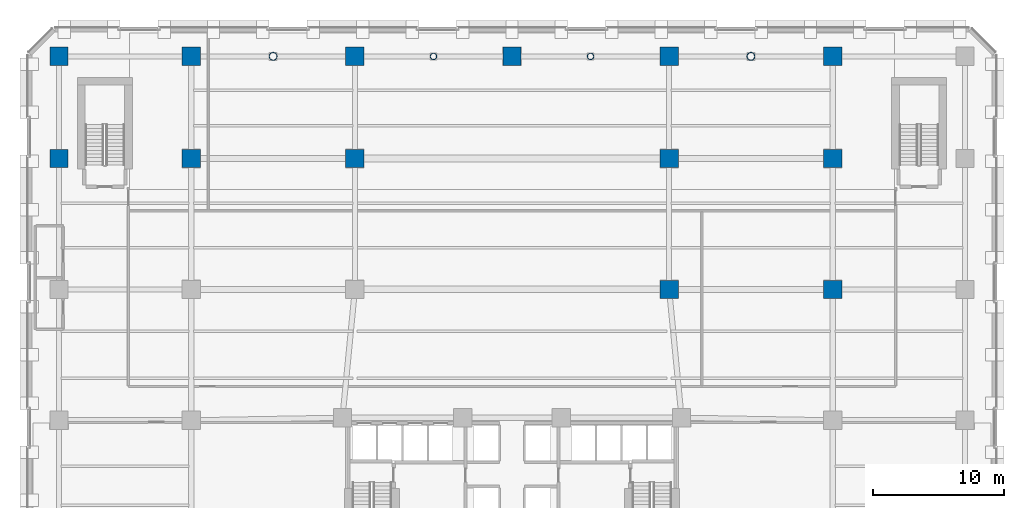
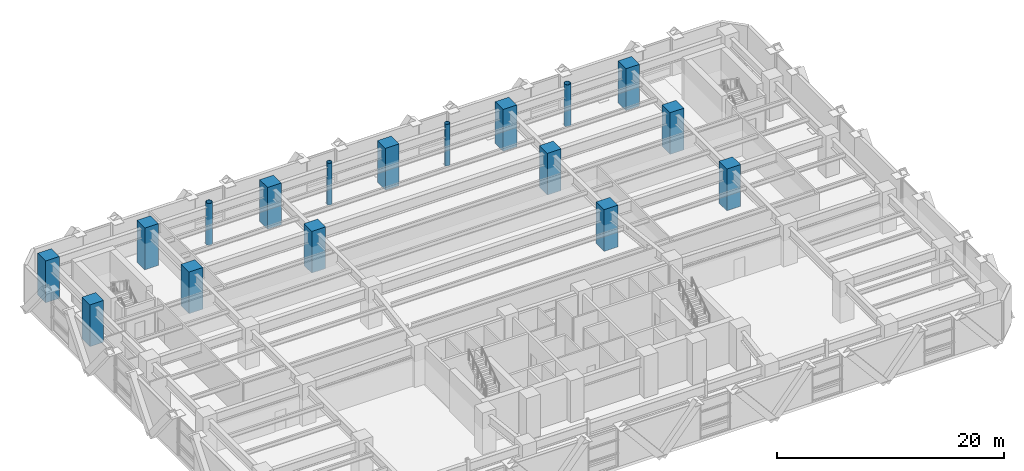
# One storey, part 4 of 26: 17 columns.
"""IFC4 building model written with IfcOpenShell, lengths in metres."""

from ifc_helpers import new_model, si_unit, direction, frame, origin, origin_2d, place, context, subcontext, project, spatial, rectangle, hollow_circle, extrude, material, material_profile, profile_set, type_object, element, save


model = new_model("IFC4")

# Units and contexts
model_context = context("Model", 3, precision=1e-05, world=origin(), true_north=direction((0.0, 1.0)))
body_context = subcontext(model_context, "Body", "Model", "MODEL_VIEW")
ifc_project = project(units=[si_unit("LENGTHUNIT", "METRE"), si_unit("AREAUNIT", "SQUARE_METRE"), si_unit("VOLUMEUNIT", "CUBIC_METRE"), si_unit("PLANEANGLEUNIT", "RADIAN"), si_unit("MASSUNIT", "GRAM", prefix="KILO")], contexts=[model_context])

# Site, building, storey
site_placement = place(None, origin())
site = spatial("IfcSite", under=ifc_project, at=site_placement, CompositionType="ELEMENT")
building_placement = place(site_placement, origin())
building = spatial("IfcBuilding", under=site, at=building_placement, Name="Quenlor Broadcast Tower", CompositionType="ELEMENT")
storey_placement = place(building_placement, frame((0.0, 0.0, 18.5)))
storey = spatial("IfcBuildingStorey", under=building, at=storey_placement, Name="L04", CompositionType="ELEMENT", Elevation=18.5)

# Columns
ifc_material_1 = material(Name="Concrete C65/80", Category="concrete")
ifc_material_profile_1 = material_profile(ifc_material_1, rectangle(XDim=1.39990234375, YDim=1.39990234375, at=origin_2d()))
ifc_profile_set_1 = profile_set([ifc_material_profile_1], Name="Concrete C65/80 RC1400x1400")
column_type_1 = type_object("IfcColumnType", Name="Podium Mega Column Concrete C65/80 1400", PredefinedType="COLUMN", material=ifc_profile_set_1)
for number, where, z_axis, x_axis, name in (
    (1, (12.0, 5.0, 0.0), (0.0, 0.0, 1.0), (1.0, 0.0, 0.0), "L04 Podium Mega Column PM18"),
    (2, (24.5, 5.0, 0.0), (0.0, 0.0, 1.0), (1.0, 0.0, 0.0), "L04 Podium Mega Column PM19"),
    (3, (-34.60009765625, 15.0, 0.0), (0.0, 0.0, 1.0), (1.0, 0.0, 0.0), "L04 Podium Mega Column PM21"),
    (4, (-24.5, 15.0, 0.0), (0.0, 0.0, 1.0), (1.0, 0.0, 0.0), "L04 Podium Mega Column PM22"),
    (5, (-12.0, 15.0, 0.0), (0.0, 0.0, 1.0), (1.0, 0.0, 0.0), "L04 Podium Mega Column PM23"),
    (6, (12.0, 15.0, 0.0), (0.0, 0.0, 1.0), (1.0, 0.0, 0.0), "L04 Podium Mega Column PM24"),
    (7, (24.5, 15.0, 0.0), (0.0, 0.0, 1.0), (1.0, 0.0, 0.0), "L04 Podium Mega Column PM25"),
    (8, (-34.60009765625, 22.800048828125, 0.0), (0.0, 0.0, 1.0), (1.0, 0.0, 0.0), "L04 Podium Mega Column PM27"),
    (9, (-24.5, 22.800048828125, 0.0), (0.0, 0.0, 1.0), (1.0, 0.0, 0.0), "L04 Podium Mega Column PM28"),
    (10, (-12.0, 22.800048828125, 0.0), (0.0, 0.0, 1.0), (1.0, 0.0, 0.0), "L04 Podium Mega Column PM29"),
    (11, (0.0, 22.800048828125, 0.0), (0.0, 0.0, 1.0), (1.0, 0.0, 0.0), "L04 Podium Mega Column PM30"),
    (12, (12.0, 22.800048828125, 0.0), (0.0, 0.0, 1.0), (1.0, 0.0, 0.0), "L04 Podium Mega Column PM31"),
    (13, (24.5, 22.800048828125, 0.0), (0.0, 0.0, 1.0), (1.0, 0.0, 0.0), "L04 Podium Mega Column PM32"),
):
    element("IfcColumn", number, at=place(storey_placement, frame(where, z_axis=z_axis, x_axis=x_axis)), inside=storey, type_object=column_type_1, Name=name, PredefinedType="COLUMN", context=body_context, shape_type="SweptSolid", body=[
        extrude(rectangle(XDim=1.39990234375, YDim=1.39990234375, at=origin_2d()), origin(), (0.0, 0.0, 1.0), 4.5),
    ])
ifc_material_2 = material(Name="Steel S355", Category="steel")
ifc_material_profile_2 = material_profile(ifc_material_2, hollow_circle(Radius=0.304931640625, WallThickness=0.02490234375, at=origin_2d()))
ifc_profile_set_2 = profile_set([ifc_material_profile_2], Name="Steel S355 CHS610x25")
column_type_2 = type_object("IfcColumnType", Name="Station Concourse Column Steel S355 CHS610", PredefinedType="COLUMN", material=ifc_profile_set_2)
for number, where, z_axis, x_axis, name in (
    (14, (-18.25, 22.800048828125, 0.0), (0.0, 0.0, 1.0), (1.0, 0.0, 0.0), "L04 Station Steel Column SCW1"),
    (15, (18.25, 22.800048828125, 0.0), (0.0, 0.0, 1.0), (1.0, 0.0, 0.0), "L04 Station Steel Column SCE1"),
):
    element("IfcColumn", number, at=place(storey_placement, frame(where, z_axis=z_axis, x_axis=x_axis)), inside=storey, type_object=column_type_2, Name=name, PredefinedType="COLUMN", context=body_context, shape_type="SweptSolid", body=[
        extrude(hollow_circle(Radius=0.304931640625, WallThickness=0.02490234375, at=origin_2d()), origin(), (0.0, 0.0, 1.0), 4.5),
    ])
ifc_material_3 = material(Name="Steel S355", Category="steel")
ifc_material_profile_3 = material_profile(ifc_material_3, hollow_circle(Radius=0.25390625, WallThickness=0.02197265625, at=origin_2d()))
ifc_profile_set_3 = profile_set([ifc_material_profile_3], Name="Steel S355 CHS508x22")
column_type_3 = type_object("IfcColumnType", Name="Station Portal Column Steel S355 CHS508", PredefinedType="COLUMN", material=ifc_profile_set_3)
for number, where, z_axis, x_axis, name in (
    (16, (-6.0, 22.800048828125, 0.0), (0.0, 0.0, 1.0), (1.0, 0.0, 0.0), "L04 Station Steel Column SCW2"),
    (17, (6.0, 22.800048828125, 0.0), (0.0, 0.0, 1.0), (1.0, 0.0, 0.0), "L04 Station Steel Column SCE2"),
):
    element("IfcColumn", number, at=place(storey_placement, frame(where, z_axis=z_axis, x_axis=x_axis)), inside=storey, type_object=column_type_3, Name=name, PredefinedType="COLUMN", context=body_context, shape_type="SweptSolid", body=[
        extrude(hollow_circle(Radius=0.25390625, WallThickness=0.02197265625, at=origin_2d()), origin(), (0.0, 0.0, 1.0), 4.5),
    ])

save(model, "model.ifc")
